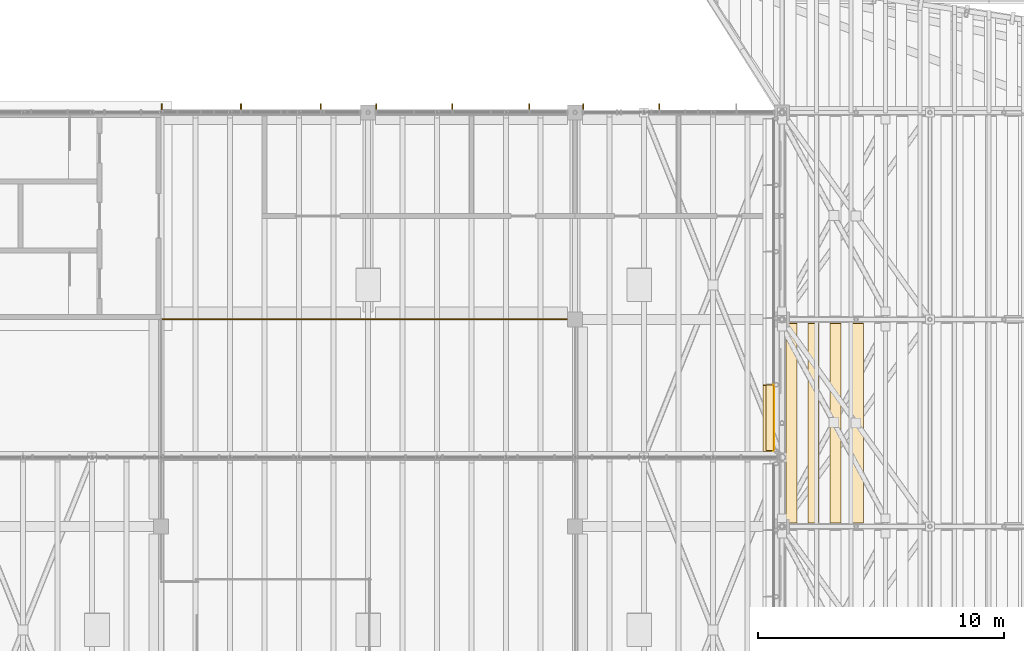
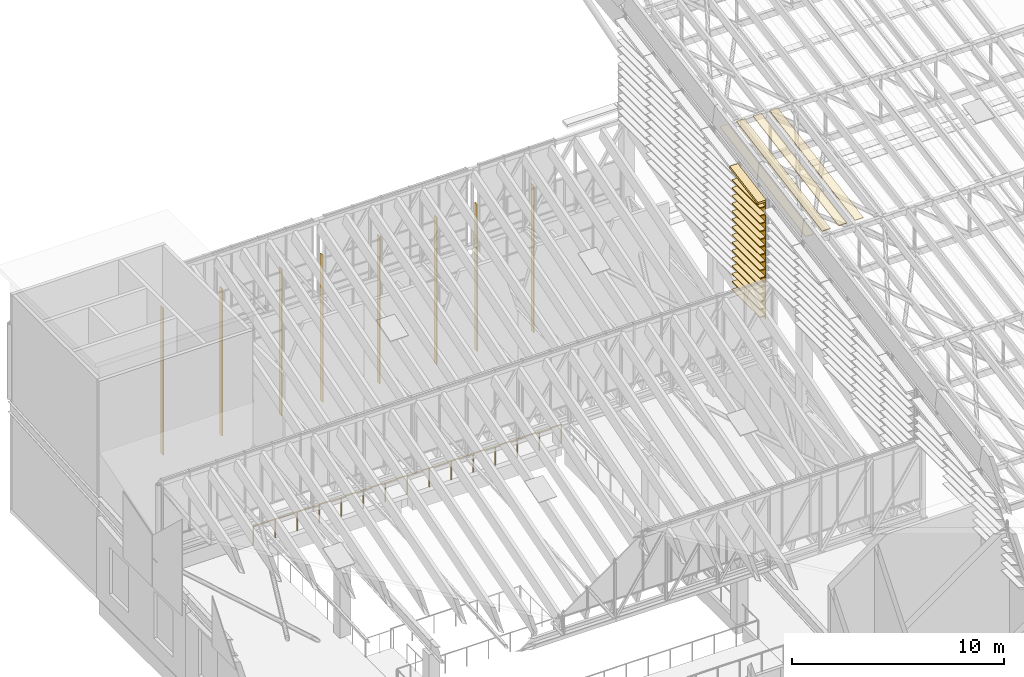
# One storey, part 83 of 91: 21 coverings, 8 shading devices, 1 railing.
"""IFC4 building model written with IfcOpenShell, lengths in metres."""

from ifc_helpers import new_model, si_unit, direction, frame, origin, origin_2d, place, context, subcontext, project, spatial, polyline, rectangle, circle, outline, extrude, material, layer, layer_set, material_profile, profile_set, type_object, element, save


model = new_model("IFC4")

# Units and contexts
model_context = context("Model", 3, precision=1e-05, world=origin(), true_north=direction((0.0, 1.0)))
body_context = subcontext(model_context, "Body", "Model", "MODEL_VIEW")
ifc_project = project(units=[si_unit("LENGTHUNIT", "METRE"), si_unit("AREAUNIT", "SQUARE_METRE"), si_unit("VOLUMEUNIT", "CUBIC_METRE"), si_unit("PLANEANGLEUNIT", "RADIAN"), si_unit("MASSUNIT", "GRAM", prefix="KILO")], contexts=[model_context])

# Site, building, storey
site_placement = place(None, origin())
site = spatial("IfcSite", under=ifc_project, at=site_placement, CompositionType="ELEMENT")
building_placement = place(site_placement, origin())
building = spatial("IfcBuilding", under=site, at=building_placement, Name="Almond Square Museum", CompositionType="ELEMENT")
storey_placement = place(building_placement, frame((0.0, 0.0, 30.0)))
storey = spatial("IfcBuildingStorey", under=building, at=storey_placement, Name="L05", CompositionType="ELEMENT", Elevation=30.0)

# Railing
ifc_material_1 = material(Name="Laminated glass and stainless steel", Category="steel")
railing_type = type_object("IfcRailingType", Name="Atrium guard 1100 glass balustrade", PredefinedType="GUARDRAIL", material=ifc_material_1)
railing_placement = place(storey_placement, frame((81.60009765625, 100.800048828125, 0.0)))
element("IfcRailing", 1, at=railing_placement, inside=storey, type_object=railing_type, Name="L05 atrium guard 8", PredefinedType="GUARDRAIL", context=body_context, shape_type="SweptSolid", body=[
    extrude(circle(Radius=0.02392578125, at=origin_2d()), frame((0.0, 0.0, 1.076171875), z_axis=(1.0, 0.0, 0.0), x_axis=(0.0, 1.0, 0.0)), (0.0, 0.0, 1.0), 16.7998046875),
    extrude(circle(Radius=0.02099609375, at=origin_2d()), origin(), (0.0, 0.0, 1.0), 1.052001953125),
    extrude(circle(Radius=0.02099609375, at=origin_2d()), frame((1.199951171875, 0.0, 0.0)), (0.0, 0.0, 1.0), 1.052001953125),
    extrude(circle(Radius=0.02099609375, at=origin_2d()), frame((2.39990234375, 0.0, 0.0)), (0.0, 0.0, 1.0), 1.052001953125),
    extrude(circle(Radius=0.02099609375, at=origin_2d()), frame((3.599853515625, 0.0, 0.0)), (0.0, 0.0, 1.0), 1.052001953125),
    extrude(circle(Radius=0.02099609375, at=origin_2d()), frame((4.800048828125, 0.0, 0.0)), (0.0, 0.0, 1.0), 1.052001953125),
    extrude(circle(Radius=0.02099609375, at=origin_2d()), frame((6.0, 0.0, 0.0)), (0.0, 0.0, 1.0), 1.052001953125),
    extrude(circle(Radius=0.02099609375, at=origin_2d()), frame((7.199951171875, 0.0, 0.0)), (0.0, 0.0, 1.0), 1.052001953125),
    extrude(circle(Radius=0.02099609375, at=origin_2d()), frame((8.39990234375, 0.0, 0.0)), (0.0, 0.0, 1.0), 1.052001953125),
    extrude(circle(Radius=0.02099609375, at=origin_2d()), frame((9.599853515625, 0.0, 0.0)), (0.0, 0.0, 1.0), 1.052001953125),
    extrude(circle(Radius=0.02099609375, at=origin_2d()), frame((10.7998046875, 0.0, 0.0)), (0.0, 0.0, 1.0), 1.052001953125),
    extrude(circle(Radius=0.02099609375, at=origin_2d()), frame((11.999755859375, 0.0, 0.0)), (0.0, 0.0, 1.0), 1.052001953125),
    extrude(circle(Radius=0.02099609375, at=origin_2d()), frame((13.199951171875, 0.0, 0.0)), (0.0, 0.0, 1.0), 1.052001953125),
    extrude(circle(Radius=0.02099609375, at=origin_2d()), frame((14.39990234375, 0.0, 0.0)), (0.0, 0.0, 1.0), 1.052001953125),
    extrude(circle(Radius=0.02099609375, at=origin_2d()), frame((15.599853515625, 0.0, 0.0)), (0.0, 0.0, 1.0), 1.052001953125),
    extrude(circle(Radius=0.02099609375, at=origin_2d()), frame((16.7998046875, 0.0, 0.0)), (0.0, 0.0, 1.0), 1.052001953125),
])

# Coverings
ifc_material_2 = material(Name="Cedar timber roof board", Category="wood")
ifc_layer_1 = layer(ifc_material_2, 0.0400390625)
ifc_layer_set_1 = layer_set([ifc_layer_1], Name="Cedar timber roof board")
covering_type_1 = type_object("IfcCoveringType", Name="Hall roof board 450 x 40", PredefinedType="CLADDING", material=ifc_layer_set_1)
for number, where, z_axis, x_axis, name in (
    (2, (107.39990234375, 100.64990234375, 15.293701171875), (0.0, -0.17238105195, 0.985030341121), (-1.0, 0.0, 0.0), "Hall roof board"),
    (3, (108.300048828125, 100.64990234375, 15.293701171875), (0.0, -0.17238105195, 0.985030341121), (-1.0, 0.0, 0.0), "Hall roof board"),
    (4, (109.199951171875, 100.64990234375, 15.293701171875), (0.0, -0.17238105195, 0.985030341121), (-1.0, 0.0, 0.0), "Hall roof board"),
):
    element("IfcCovering", number, at=place(storey_placement, frame(where, z_axis=z_axis, x_axis=x_axis)), inside=storey, type_object=covering_type_1, Name=name, PredefinedType="CLADDING", context=body_context, shape_type="SweptSolid", body=[
        extrude(outline(polyline([(0.0, 0.0), (0.449951171875, 0.0), (0.449951171875, 8.22294824584652), (0.0, 8.22294824584652), (0.0, 0.0)])), origin(), (0.0, 0.0, 1.0), 0.0400390625),
    ])
covering_1_placement = place(storey_placement, frame((110.10009765625, 100.64990234375, 15.293701171875), z_axis=(0.0, -0.17238105195, 0.985030341121), x_axis=(-1.0, 0.0, 0.0)))
element("IfcCovering", 5, at=covering_1_placement, inside=storey, type_object=covering_type_1, Name="Hall roof board", PredefinedType="CLADDING", context=body_context, shape_type="SweptSolid", body=[
    extrude(outline(polyline([(0.0, 0.0), (0.4501953125, 0.0), (0.4501953125, 8.222948245846522), (0.0, 8.222948245846522), (0.0, 0.0)])), origin(), (0.0, 0.0, 1.0), 0.0400390625),
])
ifc_material_3 = material(Name="Cedar timber sheathing panel", Category="wood")
ifc_layer_2 = layer(ifc_material_3, 0.030029296875)
ifc_layer_set_2 = layer_set([ifc_layer_2], Name="Cedar timber sheathing panel")
covering_type_2 = type_object("IfcCoveringType", Name="Louvre rain-screen backing panel 30", PredefinedType="CLADDING", material=ifc_layer_set_2)
covering_2_placement = place(storey_placement, frame((106.463623046875, 95.4599609375, 7.552001953125), z_axis=(1.0, 0.0, 0.0), x_axis=(0.0, 1.0, 0.0)))
element("IfcCovering", 6, at=covering_2_placement, inside=storey, type_object=covering_type_2, Name="Louvre rain-screen backing panel W2 11", PredefinedType="CLADDING", context=body_context, shape_type="SweptSolid", body=[
    extrude(outline(polyline([(0.0, 0.0), (2.679931640625, 0.0), (2.679931640625, 6.74169921875), (0.0, 6.74169921875), (0.0, 0.0)])), frame((0.0, 0.0, -0.01513671875)), (0.0, 0.0, 1.0), 0.030029296875),
])
ifc_material_4 = material(Name="Cedar timber louvre board", Category="wood")
ifc_material_profile_1 = material_profile(ifc_material_4, rectangle(XDim=0.300048828125, YDim=0.050048828125, at=origin_2d()))
ifc_profile_set_1 = profile_set([ifc_material_profile_1], Name="Cedar timber louvre board")
covering_type_3 = type_object("IfcCoveringType", Name="Louvre screen board 300 x 50", PredefinedType="CLADDING", material=ifc_profile_set_1)
for number, where, z_axis, x_axis, name in (
    (7, (106.302734375, 95.469970703125, 7.751953125), (0.0, 1.0, 0.0), (-1.0, 0.0, 0.0), "Louvre screen board"),
    (8, (106.302734375, 95.469970703125, 8.201904296875), (0.0, 1.0, 0.0), (-1.0, 0.0, 0.0), "Louvre screen board"),
    (9, (106.302734375, 95.469970703125, 8.65185546875), (0.0, 1.0, 0.0), (-1.0, 0.0, 0.0), "Louvre screen board"),
    (10, (106.302734375, 95.469970703125, 9.101806640625), (0.0, 1.0, 0.0), (-1.0, 0.0, 0.0), "Louvre screen board"),
    (11, (106.302734375, 95.469970703125, 9.552001953125), (0.0, 1.0, 0.0), (-1.0, 0.0, 0.0), "Louvre screen board"),
    (12, (106.302734375, 95.469970703125, 10.001953125), (0.0, 1.0, 0.0), (-1.0, 0.0, 0.0), "Louvre screen board"),
    (13, (106.302734375, 95.469970703125, 10.451904296875), (0.0, 1.0, 0.0), (-1.0, 0.0, 0.0), "Louvre screen board"),
    (14, (106.302734375, 95.469970703125, 10.90185546875), (0.0, 1.0, 0.0), (-1.0, 0.0, 0.0), "Louvre screen board"),
    (15, (106.302734375, 95.469970703125, 11.351806640625), (0.0, 1.0, 0.0), (-1.0, 0.0, 0.0), "Louvre screen board"),
    (16, (106.302734375, 95.469970703125, 11.802001953125), (0.0, 1.0, 0.0), (-1.0, 0.0, 0.0), "Louvre screen board"),
    (17, (106.302734375, 95.469970703125, 12.251953125), (0.0, 1.0, 0.0), (-1.0, 0.0, 0.0), "Louvre screen board"),
    (18, (106.302734375, 95.469970703125, 12.701904296875), (0.0, 1.0, 0.0), (-1.0, 0.0, 0.0), "Louvre screen board"),
    (19, (106.302734375, 95.469970703125, 13.15185546875), (0.0, 1.0, 0.0), (-1.0, 0.0, 0.0), "Louvre screen board"),
    (20, (106.302734375, 95.469970703125, 13.601806640625), (0.0, 1.0, 0.0), (-1.0, 0.0, 0.0), "Louvre screen board"),
    (21, (106.302734375, 95.469970703125, 14.052001953125), (0.0, 1.0, 0.0), (-1.0, 0.0, 0.0), "Louvre screen board"),
):
    element("IfcCovering", number, at=place(storey_placement, frame(where, z_axis=z_axis, x_axis=x_axis)), inside=storey, type_object=covering_type_3, Name=name, PredefinedType="CLADDING", context=body_context, shape_type="SweptSolid", body=[
        extrude(rectangle(XDim=0.300048828125, YDim=0.050048828125, at=origin_2d()), origin(), (0.0, 0.0, 1.0), 2.659912109375),
    ])
ifc_material_5 = material(Name="Cedar timber louvre board", Category="wood")
ifc_material_profile_2 = material_profile(ifc_material_5, rectangle(XDim=0.449951171875, YDim=0.139892578125, at=origin_2d()))
ifc_profile_set_2 = profile_set([ifc_material_profile_2], Name="Cedar timber louvre board")
covering_type_4 = type_object("IfcCoveringType", Name="Louvre skin fascia 450 x 140", PredefinedType="CLADDING", material=ifc_profile_set_2)
covering_3_placement = place(storey_placement, frame((106.255615234375, 95.4599609375, 14.36376953125), z_axis=(0.0, 0.984816056222, 0.173601081242), x_axis=(-1.0, 0.0, 0.0)))
element("IfcCovering", 22, at=covering_3_placement, inside=storey, type_object=covering_type_4, Name="Louvre skin fascia", PredefinedType="CLADDING", context=body_context, shape_type="SweptSolid", body=[
    extrude(rectangle(XDim=0.449951171875, YDim=0.139892578125, at=origin_2d()), origin(), (0.0, 0.0, 1.0), 2.72119140625),
])

# Shading devices
ifc_material_6 = material(Name="Cedar timber fin", Category="wood")
ifc_material_profile_3 = material_profile(ifc_material_6, rectangle(XDim=0.25, YDim=0.050048828125, at=origin_2d()))
ifc_profile_set_3 = profile_set([ifc_material_profile_3], Name="Cedar timber fin")
shading_device_type = type_object("IfcShadingDeviceType", Name="Timber fin 250 x 50", PredefinedType="USERDEFINED", material=ifc_profile_set_3)
for number, where, z_axis, x_axis, name in (
    (23, (98.72998046875, 109.423095703125, 0.0), (0.0, 0.0, 1.0), (0.0, 1.0, 0.0), "Timber fin"),
    (24, (101.820068359375, 109.423095703125, 0.0), (0.0, 0.0, 1.0), (0.0, 1.0, 0.0), "Timber fin"),
    (25, (90.330078125, 109.423095703125, 0.0), (0.0, 0.0, 1.0), (0.0, 1.0, 0.0), "Timber fin"),
    (26, (93.419921875, 109.423095703125, 0.0), (0.0, 0.0, 1.0), (0.0, 1.0, 0.0), "Timber fin"),
    (27, (96.5400390625, 109.423095703125, 0.0), (0.0, 0.0, 1.0), (0.0, 1.0, 0.0), "Timber fin"),
    (28, (81.6298828125, 109.423095703125, 0.0), (0.0, 0.0, 1.0), (0.0, 1.0, 0.0), "Timber fin"),
    (29, (84.840087890625, 109.423095703125, 0.0), (0.0, 0.0, 1.0), (0.0, 1.0, 0.0), "Timber fin"),
    (30, (88.080078125, 109.423095703125, 0.0), (0.0, 0.0, 1.0), (0.0, 1.0, 0.0), "Timber fin"),
):
    element("IfcShadingDevice", number, at=place(storey_placement, frame(where, z_axis=z_axis, x_axis=x_axis)), inside=storey, type_object=shading_device_type, Name=name, ObjectType="FIN", PredefinedType="USERDEFINED", context=body_context, shape_type="SweptSolid", body=[
        extrude(rectangle(XDim=0.25, YDim=0.050048828125, at=origin_2d()), origin(), (0.0, 0.0, 1.0), 8.480224609375),
    ])

save(model, "model.ifc")
